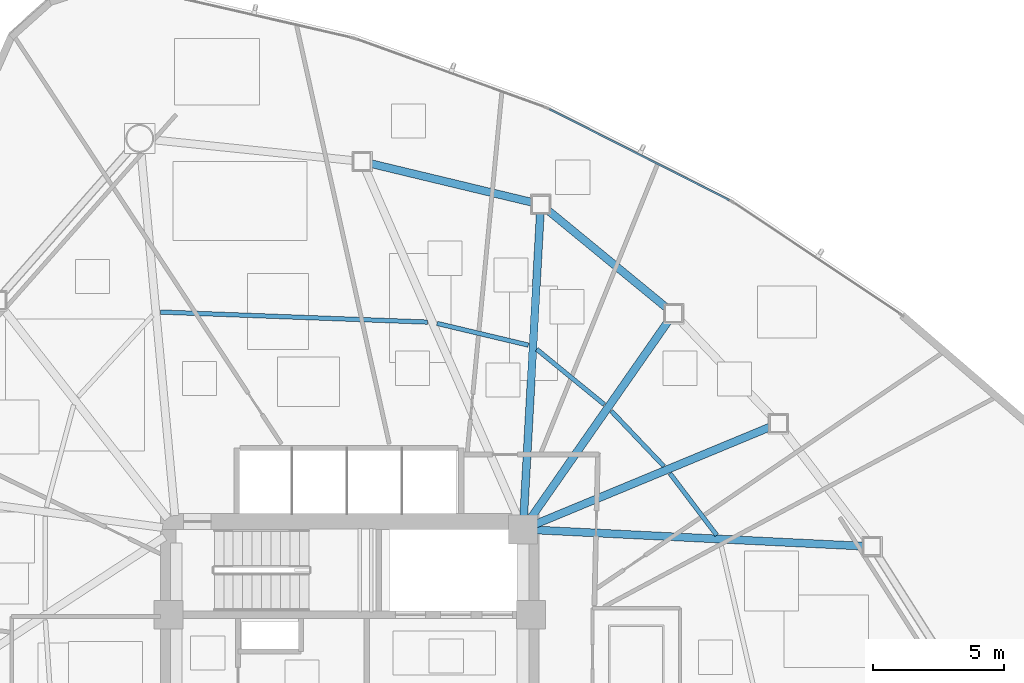
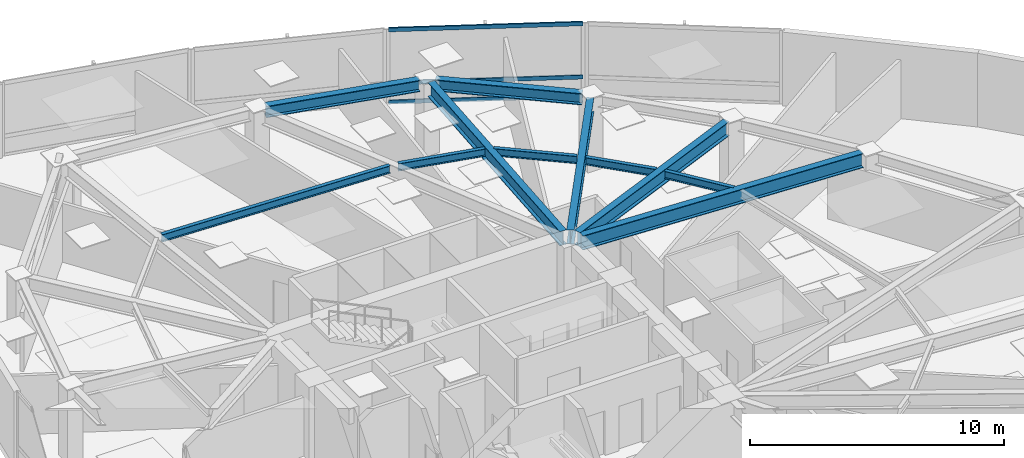
# One storey, part 8 of 18: 11 beams, 3 members, 1 element without a shape of its own.
"""IFC4 building model written with IfcOpenShell, lengths in metres."""

import ifcopenshell
import ifcopenshell.guid

model = None  # the IFC model being written
_history = None  # IfcOwnerHistory: only IFC2X3 demands one
_inside = {}  # id of a spatial element -> (the spatial element, [elements in it])
_under = {}  # id of a project, library or spatial element -> (it, [spatial elements below it])
_declared = {}  # id of a project -> (the project, [libraries it declares])
_typed = {}  # id of a type object -> (the type object, [elements of that type])
_made_of = {}  # id of a material, layer set ... -> (it, [elements and type objects made of it])


def new_model(schema):
    """Start an empty IFC model of exactly this schema.

    Asked for "IFC4X3", IfcOpenShell would pick the latest addendum, in which some entities
    have other attributes; the version numbers below select the first issue.
    IFC2X3 requires an IfcOwnerHistory on every rooted entity: one is made here for all.
    """
    global model, _history
    if schema == "IFC4X3":
        model = ifcopenshell.file(schema_version=(4, 3, 0, 0))
    else:
        model = ifcopenshell.file(schema=schema)
    _inside.clear()
    _under.clear()
    _declared.clear()
    _typed.clear()
    _made_of.clear()
    _history = None
    if model.schema == "IFC2X3":
        org = make("IfcOrganization", Name="unknown")
        user = make(
            "IfcPersonAndOrganization",
            ThePerson=make("IfcPerson", FamilyName="unknown"),
            TheOrganization=org,
        )
        app = make(
            "IfcApplication",
            ApplicationDeveloper=org,
            Version="unknown",
            ApplicationFullName="unknown",
            ApplicationIdentifier="unknown",
        )
        _history = make(
            "IfcOwnerHistory",
            OwningUser=user,
            OwningApplication=app,
            ChangeAction="ADDED",
            CreationDate=0,
        )
    return model


def make(cls, **values):
    """One entity of the class cls with the attributes given. An attribute that is None is left unset."""
    return model.create_entity(
        cls, **{name: value for name, value in values.items() if value is not None}
    )


def rooted(cls, **values):
    """An entity with a GlobalId (a new one), such as an element, a storey or a relation."""
    return make(cls, GlobalId=ifcopenshell.guid.new(), OwnerHistory=_history, **values)


def si_unit(unit_type, name, prefix=None):
    """IfcSIUnit, for example si_unit("LENGTHUNIT", "METRE", prefix="MILLI")."""
    return make("IfcSIUnit", UnitType=unit_type, Prefix=prefix, Name=name)


def assignment(units):
    """IfcUnitAssignment: the units of a project."""
    return None if units is None else make("IfcUnitAssignment", Units=units)


def point(xyz):
    """IfcCartesianPoint."""
    return None if xyz is None else make("IfcCartesianPoint", Coordinates=xyz)


def direction(xyz):
    """IfcDirection."""
    return None if xyz is None else make("IfcDirection", DirectionRatios=xyz)


def frame(location, z_axis=None, x_axis=None):
    """IfcAxis2Placement3D, a coordinate frame: its origin and axes. An axis left out is left unset."""
    return make(
        "IfcAxis2Placement3D",
        Location=point(location),
        Axis=direction(z_axis),
        RefDirection=direction(x_axis),
    )


def frame_2d(location, x_axis=None):
    """IfcAxis2Placement2D, a coordinate frame in the plane: its origin and x axis."""
    return make(
        "IfcAxis2Placement2D", Location=point(location), RefDirection=direction(x_axis)
    )


def origin():
    """The frame at (0, 0, 0) with its axes left unset."""
    return frame((0.0, 0.0, 0.0))


def origin_2d():
    """The frame at (0, 0) in the plane with its x axis left unset."""
    return frame_2d((0.0, 0.0))


def place(relative_to, where):
    """IfcLocalPlacement: puts the frame where relative to a parent placement (None: the world)."""
    return make(
        "IfcLocalPlacement", PlacementRelTo=relative_to, RelativePlacement=where
    )


def context(
    kind, dimensions, precision=None, world=None, true_north=None, identifier=None
):
    """IfcGeometricRepresentationContext, for example the 3D "Model" context."""
    return make(
        "IfcGeometricRepresentationContext",
        ContextIdentifier=identifier,
        ContextType=kind,
        CoordinateSpaceDimension=dimensions,
        Precision=precision,
        WorldCoordinateSystem=world,
        TrueNorth=true_north,
    )


def subcontext(parent, identifier, kind, view, scale=None):
    """IfcGeometricRepresentationSubContext, for example "Body" below "Model"."""
    return make(
        "IfcGeometricRepresentationSubContext",
        ContextIdentifier=identifier,
        ContextType=kind,
        ParentContext=parent,
        TargetScale=scale,
        TargetView=view,
    )


def project(units=None, contexts=None):
    """IfcProject with its units and contexts."""
    return rooted(
        "IfcProject",
        Name="project",
        RepresentationContexts=contexts,
        UnitsInContext=assignment(units),
    )


def spatial(cls, under=None, at=None, **own):
    """A site, building, storey or space (cls), placed at a placement, below another one or the project."""
    s = rooted(cls, ObjectPlacement=at, **own)
    if under is not None:
        _under.setdefault(under.id(), (under, []))[1].append(s)
    return s


def profile(cls, at=None, kind="AREA", **sizes):
    """A parametric profile (cls). Its sizes go by their IFC names, for example OverallWidth=200.0."""
    return make(cls, ProfileType=kind, Position=at, **sizes)


def hollow_rectangle(**sizes):
    """IfcRectangleHollowProfileDef."""
    return profile("IfcRectangleHollowProfileDef", **sizes)


def i_section(**sizes):
    """IfcIShapeProfileDef."""
    return profile("IfcIShapeProfileDef", **sizes)


def extrude(swept, where, along, depth):
    """IfcExtrudedAreaSolid: the profile swept, set in the frame where, extruded along a direction by depth."""
    return make(
        "IfcExtrudedAreaSolid",
        SweptArea=swept,
        Position=where,
        ExtrudedDirection=direction(along),
        Depth=depth,
    )


def shape(context_of_items, identifier, shape_type, items):
    """IfcShapeRepresentation: the items that make up one representation, for example the "Body"."""
    return make(
        "IfcShapeRepresentation",
        ContextOfItems=context_of_items,
        RepresentationIdentifier=identifier,
        RepresentationType=shape_type,
        Items=items,
    )


def source(mapping_origin, context_of_items, identifier, shape_type, items):
    """IfcRepresentationMap: a shape defined once, which mapped items show again and again."""
    return make(
        "IfcRepresentationMap",
        MappingOrigin=mapping_origin,
        MappedRepresentation=shape(context_of_items, identifier, shape_type, items),
    )


def transform(
    local_origin,
    x_axis=None,
    y_axis=None,
    z_axis=None,
    scale=None,
    scale2=None,
    scale3=None,
    uniform=True,
):
    """IfcCartesianTransformationOperator3D, or its non-uniform kind. x_axis, y_axis, z_axis: its Axis1, 2, 3."""
    if uniform:
        return make(
            "IfcCartesianTransformationOperator3D",
            Axis1=direction(x_axis),
            Axis2=direction(y_axis),
            LocalOrigin=point(local_origin),
            Scale=scale,
            Axis3=direction(z_axis),
        )
    return make(
        "IfcCartesianTransformationOperator3DnonUniform",
        Axis1=direction(x_axis),
        Axis2=direction(y_axis),
        LocalOrigin=point(local_origin),
        Scale=scale,
        Axis3=direction(z_axis),
        Scale2=scale2,
        Scale3=scale3,
    )


def mapped(mapping_source, mapping_target):
    """IfcMappedItem: shows the shape of a source again, moved by a transform."""
    return make(
        "IfcMappedItem", MappingSource=mapping_source, MappingTarget=mapping_target
    )


def material(Name=None, Category=None):
    """IfcMaterial."""
    return make("IfcMaterial", Name=Name, Category=Category)


def layer(
    of_material, thickness, ventilated=None, Name=None, Category=None, Priority=None
):
    """IfcMaterialLayer: one layer of a wall or slab, of a material (None: an air gap)."""
    return make(
        "IfcMaterialLayer",
        Material=of_material,
        LayerThickness=thickness,
        IsVentilated=ventilated,
        Name=Name,
        Category=Category,
        Priority=Priority,
    )


def layer_set(layers, Name=None):
    """IfcMaterialLayerSet."""
    return make("IfcMaterialLayerSet", MaterialLayers=layers, LayerSetName=Name)


def material_profile(
    of_material, cross_section, Name=None, Category=None, Priority=None
):
    """IfcMaterialProfile: a cross section and its material."""
    return make(
        "IfcMaterialProfile",
        Name=Name,
        Material=of_material,
        Profile=cross_section,
        Priority=Priority,
        Category=Category,
    )


def profile_set(profiles, Name=None, composite=None):
    """IfcMaterialProfileSet."""
    return make(
        "IfcMaterialProfileSet",
        Name=Name,
        MaterialProfiles=profiles,
        CompositeProfile=composite,
    )


def made_of(thing, what):
    """Note that an element or type object is made of a material, layer set ...; save() writes the relation."""
    if what is not None:
        _made_of.setdefault(what.id(), (what, []))[1].append(thing)
    return thing


def type_object(cls, material=None, **own):
    """A type object (cls), such as IfcWallType, which elements share."""
    return made_of(rooted(cls, **own), material)


def type_shapes(of_type, sources):
    """Give a type object the sources (RepresentationMaps) that its elements show as mapped items."""
    of_type.RepresentationMaps = sources


def element(
    cls,
    number,
    at=None,
    inside=None,
    cuts=None,
    type_object=None,
    material=None,
    context=None,
    identifier="Body",
    shape_type=None,
    held_by="IfcProductDefinitionShape",
    body=None,
    shapes=None,
    **own,
):
    """One element of the class cls, such as IfcWall. Its Tag is "e" and its number.

    at: its placement. inside: the storey or other place that contains it. cuts: it is an
    opening in that element (IfcRelVoidsElement). A single representation is given by context,
    identifier, shape_type and body (its items); several are given by shapes. held_by: the class
    of the entity that holds the representations. save() writes the other relations.
    """
    e = rooted(cls, Tag="e%d" % number, ObjectPlacement=at, **own)
    if body is not None:
        shapes = [shape(context, identifier, shape_type, body)]
    if shapes is not None:
        e.Representation = make(held_by, Representations=shapes)
    if inside is not None:
        _inside.setdefault(inside.id(), (inside, []))[1].append(e)
    if cuts is not None:
        rooted(
            "IfcRelVoidsElement", RelatingBuildingElement=cuts, RelatedOpeningElement=e
        )
    if type_object is not None:
        _typed.setdefault(type_object.id(), (type_object, []))[1].append(e)
    return made_of(e, material)


def aggregate(whole, parts):
    """IfcRelAggregates: a whole, such as a stair, and the parts it consists of."""
    return rooted("IfcRelAggregates", RelatingObject=whole, RelatedObjects=parts)


def save(model, path):
    """Write the relations noted so far, then the file.

    IfcRelAggregates (storeys below a building ...), IfcRelContainedInSpatialStructure (elements
    in a storey), IfcRelDefinesByType, IfcRelAssociatesMaterial and IfcRelDeclares: one each for
    every whole, place, type object, material and project.
    """
    for whole, parts in _under.values():
        aggregate(whole, parts)
    for where, things in _inside.values():
        rooted(
            "IfcRelContainedInSpatialStructure",
            RelatedElements=things,
            RelatingStructure=where,
        )
    for kind, things in _typed.values():
        rooted("IfcRelDefinesByType", RelatedObjects=things, RelatingType=kind)
    for what, things in _made_of.values():
        rooted("IfcRelAssociatesMaterial", RelatedObjects=things, RelatingMaterial=what)
    for by, libraries in _declared.values():
        rooted("IfcRelDeclares", RelatingContext=by, RelatedDefinitions=libraries)
    model.write(path)


model = new_model("IFC4")

# Units and contexts
model_context = context("Model", 3, precision=1e-05, world=origin(), true_north=direction((0.0, 1.0)))
body_context = subcontext(model_context, "Body", "Model", "MODEL_VIEW")
ifc_project = project(units=[si_unit("LENGTHUNIT", "METRE"), si_unit("AREAUNIT", "SQUARE_METRE"), si_unit("VOLUMEUNIT", "CUBIC_METRE"), si_unit("PLANEANGLEUNIT", "RADIAN"), si_unit("MASSUNIT", "GRAM", prefix="KILO")], contexts=[model_context])

# Site, building, storey
site_placement = place(None, origin())
site = spatial("IfcSite", under=ifc_project, at=site_placement, CompositionType="ELEMENT")
building_placement = place(site_placement, origin())
building = spatial("IfcBuilding", under=site, at=building_placement, Name="Tavelor Broadcast Tower", CompositionType="ELEMENT")
storey_placement = place(building_placement, frame((0.0, 0.0, 157.949951171875)))
storey = spatial("IfcBuildingStorey", under=building, at=storey_placement, Name="L37", CompositionType="ELEMENT", Elevation=157.949951171875)

# Beams
ifc_material_1 = material(Name="Steel S355", Category="steel")
ifc_material_profile_1 = material_profile(ifc_material_1, i_section(OverallWidth=0.169921875, OverallDepth=0.360107421875, WebThickness=0.008056640625, FlangeThickness=0.0126953125, at=origin_2d()), Name="IPE 360")
ifc_profile_set_1 = profile_set([ifc_material_profile_1], Name="Steel S355")
beam_type_1 = type_object("IfcBeamType", Name="Composite Floor Joist T3 IPE 360", PredefinedType="JOIST", material=ifc_profile_set_1)
beam_1_placement = place(storey_placement, frame((63.97509765625, 50.974853515625, 3.3701171875), z_axis=(-0.603343158319, 0.797481682116, 0.0), x_axis=(-0.797481682116, -0.603343158319, 0.0)))
element("IfcBeam", 1, at=beam_1_placement, inside=storey, type_object=beam_type_1, Name="L37 Secondary Composite Floor Joist 14", PredefinedType="JOIST", context=body_context, shape_type="SweptSolid", body=[
    extrude(i_section(OverallWidth=0.169921875, OverallDepth=0.360107421875, WebThickness=0.008056640625, FlangeThickness=0.0126953125, at=origin_2d()), origin(), (0.0, 0.0, 1.0), 2.951416015625),
])
beam_2_placement = place(storey_placement, frame((61.960205078125, 53.60400390625, 3.3701171875), z_axis=(-0.689436692526, 0.724345944283, 0.0), x_axis=(-0.724345944283, -0.689436692526, 0.0)))
element("IfcBeam", 2, at=beam_2_placement, inside=storey, type_object=beam_type_1, Name="L37 Secondary Composite Floor Joist 15", PredefinedType="JOIST", context=body_context, shape_type="SweptSolid", body=[
    extrude(i_section(OverallWidth=0.169921875, OverallDepth=0.360107421875, WebThickness=0.008056640625, FlangeThickness=0.0126953125, at=origin_2d()), origin(), (0.0, 0.0, 1.0), 2.90234375),
])
beam_3_placement = place(storey_placement, frame((59.6943359375, 55.951904296875, 3.3701171875), z_axis=(-0.774130723206, 0.633025768345, 0.0), x_axis=(-0.633025768345, -0.774130723206, 0.0)))
element("IfcBeam", 3, at=beam_3_placement, inside=storey, type_object=beam_type_1, Name="L37 Secondary Composite Floor Joist 16", PredefinedType="JOIST", context=body_context, shape_type="SweptSolid", body=[
    extrude(i_section(OverallWidth=0.169921875, OverallDepth=0.360107421875, WebThickness=0.008056640625, FlangeThickness=0.0126953125, at=origin_2d()), origin(), (0.0, 0.0, 1.0), 3.32373046875),
])
beam_4_placement = place(storey_placement, frame((56.80517578125, 58.21240234375, 3.3701171875), z_axis=(-0.972854549724, 0.231417426056, 0.0), x_axis=(-0.231417426056, -0.972854549724, 0.0)))
element("IfcBeam", 4, at=beam_4_placement, inside=storey, type_object=beam_type_1, Name="L37 Secondary Composite Floor Joist 17", PredefinedType="JOIST", context=body_context, shape_type="SweptSolid", body=[
    extrude(i_section(OverallWidth=0.169921875, OverallDepth=0.360107421875, WebThickness=0.008056640625, FlangeThickness=0.0126953125, at=origin_2d()), origin(), (0.0, 0.0, 1.0), 3.575439453125),
])
beam_5_placement = place(storey_placement, frame((52.969970703125, 59.08837890625, 3.3701171875), z_axis=(-0.999289376722, 0.037692725691, 0.0), x_axis=(-0.037692725691, -0.999289376722, 0.0)))
element("IfcBeam", 5, at=beam_5_placement, inside=storey, type_object=beam_type_1, Name="L37 Secondary Composite Floor Joist 18", PredefinedType="JOIST", context=body_context, shape_type="SweptSolid", body=[
    extrude(i_section(OverallWidth=0.169921875, OverallDepth=0.360107421875, WebThickness=0.008056640625, FlangeThickness=0.0126953125, at=origin_2d()), origin(), (0.0, 0.0, 1.0), 10.169189453125),
])
ifc_material_profile_2 = material_profile(ifc_material_1, i_section(OverallWidth=0.300048828125, OverallDepth=0.550048828125, WebThickness=0.014892578125, FlangeThickness=0.029052734375, at=origin_2d()), Name="HEB 550")
ifc_profile_set_2 = profile_set([ifc_material_profile_2], Name="Steel S355")
beam_type_2 = type_object("IfcBeamType", Name="Perimeter Spandrel Beam T3 HEB 550", PredefinedType="SPANDREL", material=ifc_profile_set_2)
beam_6_placement = place(storey_placement, frame((62.0712890625, 59.62939453125, 3.275146484375), z_axis=(-0.772702936962, 0.634767808896, 0.0), x_axis=(-0.634767808896, -0.772702936962, 0.0)))
element("IfcBeam", 6, at=beam_6_placement, inside=storey, type_object=beam_type_2, Name="L37 Framed-Tube Ring Spandrel 16", PredefinedType="SPANDREL", context=body_context, shape_type="SweptSolid", body=[
    extrude(i_section(OverallWidth=0.300048828125, OverallDepth=0.550048828125, WebThickness=0.014892578125, FlangeThickness=0.029052734375, at=origin_2d()), origin(), (0.0, 0.0, 1.0), 5.869140625),
])
beam_7_placement = place(storey_placement, frame((56.949951171875, 63.64697265625, 3.275146484375), z_axis=(-0.972363823797, 0.233470756565, 0.0), x_axis=(-0.233470756565, -0.972363823797, 0.0)))
element("IfcBeam", 7, at=beam_7_placement, inside=storey, type_object=beam_type_2, Name="L37 Framed-Tube Ring Spandrel 17", PredefinedType="SPANDREL", context=body_context, shape_type="SweptSolid", body=[
    extrude(i_section(OverallWidth=0.300048828125, OverallDepth=0.550048828125, WebThickness=0.014892578125, FlangeThickness=0.029052734375, at=origin_2d()), origin(), (0.0, 0.0, 1.0), 6.325439453125),
])
ifc_material_profile_3 = material_profile(ifc_material_1, i_section(OverallWidth=0.300048828125, OverallDepth=0.68994140625, WebThickness=0.014404296875, FlangeThickness=0.027099609375, at=origin_2d()), Name="HEA 700")
ifc_profile_set_3 = profile_set([ifc_material_profile_3], Name="Steel S355")
beam_type_3 = type_object("IfcBeamType", Name="Radial Floor Girder T3 HEA 700", PredefinedType="BEAM", material=ifc_profile_set_3)
beam_8_placement = place(storey_placement, frame((57.12744140625, 51.174072265625, 3.205078125), z_axis=(0.998783710906, -0.04930617435, 0.0), x_axis=(0.04930617435, 0.998783710906, 0.0)))
element("IfcBeam", 8, at=beam_8_placement, inside=storey, type_object=beam_type_3, Name="L37 Radial Primary Floor Girder 14", PredefinedType="BEAM", context=body_context, shape_type="SweptSolid", body=[
    extrude(i_section(OverallWidth=0.300048828125, OverallDepth=0.68994140625, WebThickness=0.014404296875, FlangeThickness=0.027099609375, at=origin_2d()), origin(), (0.0, 0.0, 1.0), 12.438232421875),
])
beam_9_placement = place(storey_placement, frame((57.087890625, 51.402099609375, 3.205078125), z_axis=(0.92381625254, 0.382836168018, 0.0), x_axis=(-0.382836168018, 0.92381625254, 0.0)))
element("IfcBeam", 9, at=beam_9_placement, inside=storey, type_object=beam_type_3, Name="L37 Radial Primary Floor Girder 15", PredefinedType="BEAM", context=body_context, shape_type="SweptSolid", body=[
    extrude(i_section(OverallWidth=0.300048828125, OverallDepth=0.68994140625, WebThickness=0.014404296875, FlangeThickness=0.027099609375, at=origin_2d()), origin(), (0.0, 0.0, 1.0), 9.659423828125),
])
beam_10_placement = place(storey_placement, frame((56.902099609375, 51.633056640625, 3.205078125), z_axis=(0.572088555537, 0.820191858423, 0.0), x_axis=(-0.820191858423, 0.572088555537, 0.0)))
element("IfcBeam", 10, at=beam_10_placement, inside=storey, type_object=beam_type_3, Name="L37 Radial Primary Floor Girder 16", PredefinedType="BEAM", context=body_context, shape_type="SweptSolid", body=[
    extrude(i_section(OverallWidth=0.300048828125, OverallDepth=0.68994140625, WebThickness=0.014404296875, FlangeThickness=0.027099609375, at=origin_2d()), origin(), (0.0, 0.0, 1.0), 9.1533203125),
])
beam_11_placement = place(storey_placement, frame((56.62890625, 51.727294921875, 3.205078125), z_axis=(0.054621583664, 0.998507126964, 0.0), x_axis=(-0.998507126964, 0.054621583664, 0.0)))
element("IfcBeam", 11, at=beam_11_placement, inside=storey, type_object=beam_type_3, Name="L37 Radial Primary Floor Girder 17", PredefinedType="BEAM", context=body_context, shape_type="SweptSolid", body=[
    extrude(i_section(OverallWidth=0.300048828125, OverallDepth=0.68994140625, WebThickness=0.014404296875, FlangeThickness=0.027099609375, at=origin_2d()), origin(), (0.0, 0.0, 1.0), 11.522705078125),
])

# Curtain wall, members
ifc_material_2 = material(Name="Architectural Anodized Aluminium", Category="aluminium")
ifc_layer = layer(ifc_material_2, 0.18994140625)
ifc_layer_set = layer_set([ifc_layer], Name="Architectural Anodized Aluminium")
curtain_wall_type = type_object("IfcCurtainWallType", Name="Tower Mid-Zone Acoustic Curtain Wall CW03", PredefinedType="NOTDEFINED", material=ifc_layer_set)
curtain_wall_placement = place(storey_placement, origin())
curtain_wall = element("IfcCurtainWall", 12, at=curtain_wall_placement, inside=storey, type_object=curtain_wall_type, Name="L37 Curtain Wall CW03 Run 394", PredefinedType="NOTDEFINED")
ifc_material_profile_4 = material_profile(ifc_material_2, hollow_rectangle(XDim=0.068115234375, YDim=0.18994140625, WallThickness=0.02197265625, at=origin_2d()), Name="RHS 68x190x22")
ifc_profile_set_4 = profile_set([ifc_material_profile_4], Name="Architectural Anodized Aluminium")
member_type = type_object("IfcMemberType", Name="CW03 Extruded Aluminium Transom 68x190", PredefinedType="USERDEFINED", material=ifc_profile_set_4)
shared_shape = source(origin(), body_context, "Body", "SweptSolid", [
    extrude(hollow_rectangle(XDim=0.068115234375, YDim=0.18994140625, WallThickness=0.02197265625, at=origin_2d()), origin(), (0.0, 0.0, 1.0), 7.66845703125),
])
type_shapes(member_type, [shared_shape])
member_1_placement = place(storey_placement, frame((64.451416015625, 63.734375, 0.033935546875), z_axis=(-0.892393185236, 0.45125868739, 0.0), x_axis=(-0.45125868739, -0.892393185236, 0.0)))
member_1 = element("IfcMember", 13, at=member_1_placement, type_object=member_type, Name="CW03 transom 1.1", ObjectType="TRANSOM", PredefinedType="USERDEFINED", context=body_context, shape_type="MappedRepresentation", body=[
    mapped(shared_shape, transform((0.0, 0.0, 0.0), scale=1.0)),
])
member_2_placement = place(storey_placement, frame((64.451416015625, 63.734375, 0.949951171875), z_axis=(-0.892393185236, 0.45125868739, 0.0), x_axis=(-0.45125868739, -0.892393185236, 0.0)))
member_2 = element("IfcMember", 14, at=member_2_placement, type_object=member_type, Name="CW03 transom 1.2", ObjectType="TRANSOM", PredefinedType="USERDEFINED", context=body_context, shape_type="MappedRepresentation", body=[
    mapped(shared_shape, transform((0.0, 0.0, 0.0), scale=1.0)),
])
member_3_placement = place(storey_placement, frame((64.451416015625, 63.734375, 3.51611328125), z_axis=(-0.892393185236, 0.45125868739, 0.0), x_axis=(-0.45125868739, -0.892393185236, 0.0)))
member_3 = element("IfcMember", 15, at=member_3_placement, type_object=member_type, Name="CW03 transom 1.3", ObjectType="TRANSOM", PredefinedType="USERDEFINED", context=body_context, shape_type="MappedRepresentation", body=[
    mapped(shared_shape, transform((0.0, 0.0, 0.0), scale=1.0)),
])
aggregate(curtain_wall, [member_1, member_2, member_3])

save(model, "model.ifc")
